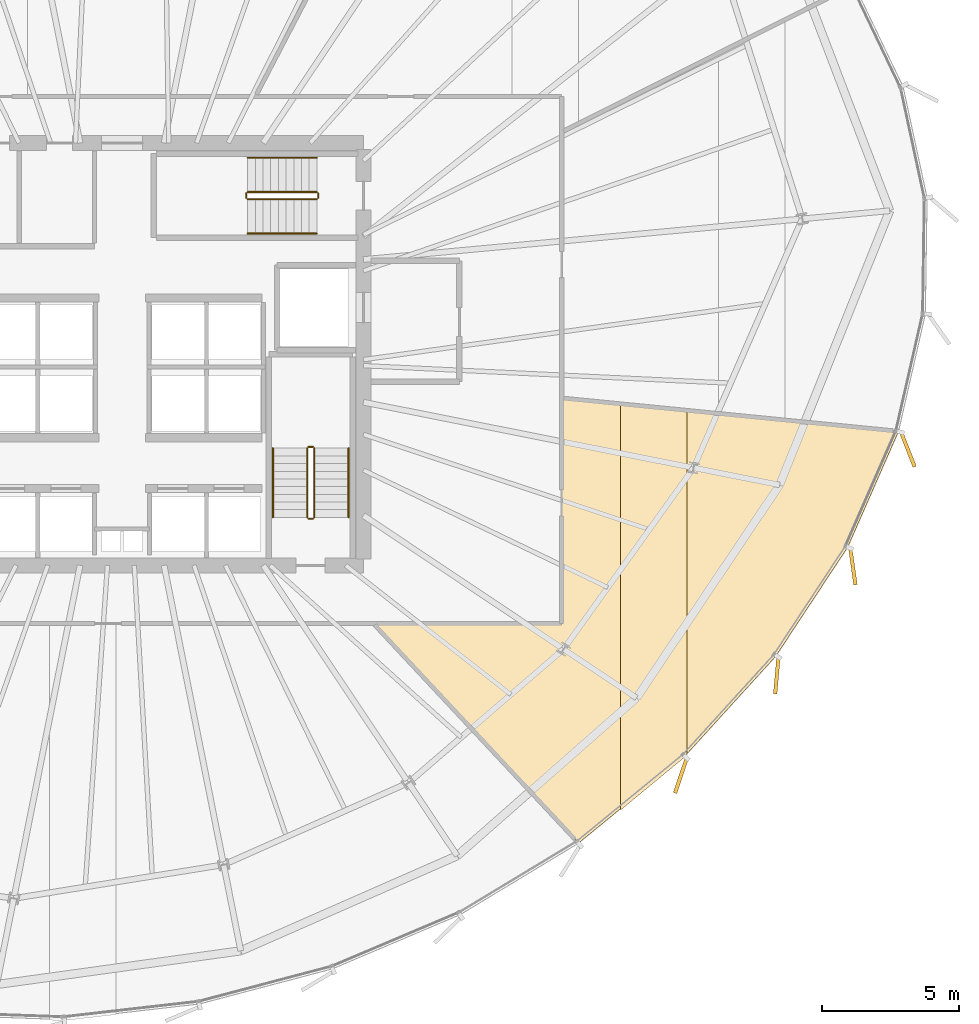
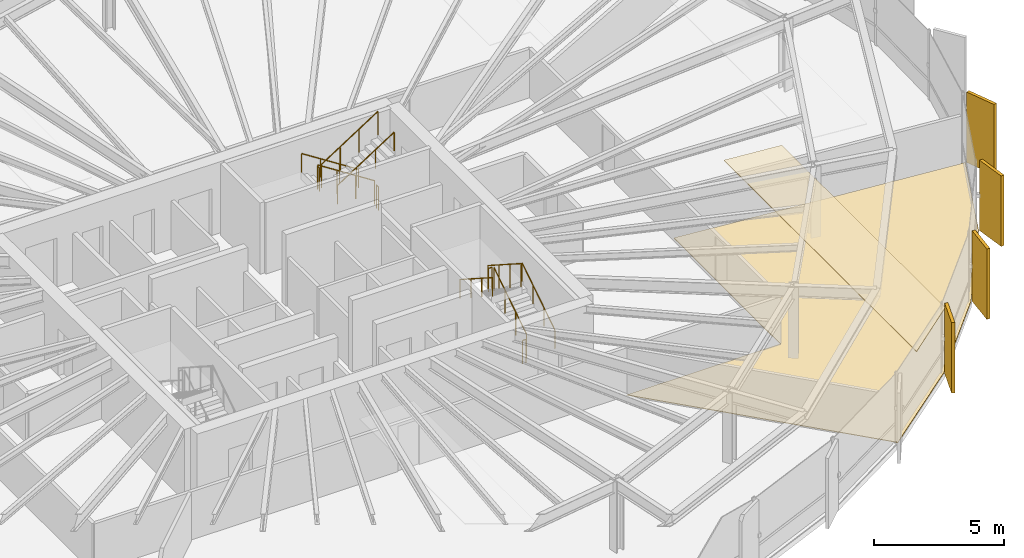
# One storey, part 32 of 33: 12 railings, 6 coverings.
"""IFC4 building model written with IfcOpenShell, lengths in metres."""

from ifc_helpers import new_model, si_unit, direction, frame, origin, origin_2d, place, context, subcontext, project, spatial, polyline, rectangle, circle, outline, extrude, source, transform, mapped, material, layer, layer_set, type_object, element, save


model = new_model("IFC4")

# Units and contexts
model_context = context("Model", 3, precision=1e-05, world=origin(), true_north=direction((0.0, 1.0)))
body_context = subcontext(model_context, "Body", "Model", "MODEL_VIEW")
ifc_project = project(units=[si_unit("LENGTHUNIT", "METRE"), si_unit("AREAUNIT", "SQUARE_METRE"), si_unit("VOLUMEUNIT", "CUBIC_METRE"), si_unit("PLANEANGLEUNIT", "RADIAN"), si_unit("MASSUNIT", "GRAM", prefix="KILO"), si_unit("THERMODYNAMICTEMPERATUREUNIT", "KELVIN")], contexts=[model_context])

# Site, building, storey
site_placement = place(None, origin())
site = spatial("IfcSite", under=ifc_project, at=site_placement, CompositionType="ELEMENT")
building_placement = place(site_placement, origin())
building = spatial("IfcBuilding", under=site, at=building_placement, Name="Kethvar Cultural Tower", CompositionType="ELEMENT")
storey_placement = place(building_placement, frame((0.0, 0.0, 110.800048828125)))
storey = spatial("IfcBuildingStorey", under=building, at=storey_placement, Name="L27", CompositionType="ELEMENT", Elevation=110.800048828125)

# Coverings
ifc_material_1 = material(Name="Acoustic Mineral Fibre Ceiling")
ifc_layer_1 = layer(ifc_material_1, 0.0400390625, Name="Acoustic Mineral Fibre Ceiling")
ifc_layer_set_1 = layer_set([ifc_layer_1], Name="Acoustic Mineral Fibre Ceiling (40 mm)")
covering_type_1 = type_object("IfcCoveringType", Name="CV-ACOUSTIC-CEIL", PredefinedType="CEILING", material=ifc_layer_set_1)
covering_1_placement = place(storey_placement, frame((0.0, 0.0, 3.0)))
element("IfcCovering", 1, at=covering_1_placement, inside=storey, type_object=covering_type_1, Name="L27 Room 02 Acoustic Ceiling Panel", PredefinedType="CEILING", context=body_context, shape_type="SweptSolid", body=[
    extrude(outline(polyline([(67.407470703125, 13.180908203125), (64.977294921875, 11.17529296875), (64.977294921875, 26.003662109375), (67.407470703125, 25.7607421875), (67.407470703125, 13.180908203125)])), origin(), (0.0, 0.0, 1.0), 0.0400390625),
])
ifc_material_2 = material(Name="Architectural Oak Timber", Category="wood")
ifc_layer_2 = layer(ifc_material_2, 0.02490234375, Name="Architectural Oak Timber", Category="wood")
ifc_layer_set_2 = layer_set([ifc_layer_2], Name="Architectural Oak Timber (25 mm)")
covering_type_2 = type_object("IfcCoveringType", Name="CV-OAK-FLOOR", PredefinedType="FLOORING", material=ifc_layer_set_2)
covering_2_placement = place(storey_placement, origin())
element("IfcCovering", 2, at=covering_2_placement, inside=storey, type_object=covering_type_2, Name="L27 Room 02 Floor Finish", PredefinedType="FLOORING", context=body_context, shape_type="SweptSolid", body=[
    extrude(outline(polyline([(73.26171875, 20.767578125), (70.630615234375, 16.7802734375), (67.318115234375, 13.14208984375), (63.453857421875, 9.980712890625), (56.0087890625, 17.9599609375), (62.845458984375, 17.96728515625), (62.85009765625, 26.176025390625), (75.09814453125, 24.951904296875), (73.26171875, 20.767578125)])), origin(), (0.0, 0.0, 1.0), 0.02490234375),
])

# Railings
ifc_material_3 = material(Name="Steel S355J2", Category="steel")
railing_type_1 = type_object("IfcRailingType", Name="RL-STAIR-GUARD", PredefinedType="BALUSTRADE", material=ifc_material_3)
railing_1_placement = place(storey_placement, frame((53.81005859375, 21.85009765625, 0.179931640625)))
element("IfcRailing", 3, at=railing_1_placement, inside=storey, type_object=railing_type_1, Name="L27 ST-02 stair guard 1", PredefinedType="BALUSTRADE", context=body_context, shape_type="SweptSolid", body=[
    extrude(circle(Radius=0.02392578125, at=origin_2d()), frame((0.0, 0.0, 1.09619140625), z_axis=(0.0, 0.841162588446, 0.540782303519), x_axis=(-1.0, 0.0, 0.0)), (0.0, 0.0, 1.0), 2.995849609375),
    extrude(circle(Radius=0.02099609375, at=origin_2d()), origin(), (0.0, 0.0, 1.0), 1.072021484375),
    extrude(circle(Radius=0.02099609375, at=origin_2d()), frame((0.0, 0.840087890625, 0.5400390625)), (0.0, 0.0, 1.0), 1.072021484375),
    extrude(circle(Radius=0.02099609375, at=origin_2d()), frame((0.0, 1.679931640625, 1.080078125)), (0.0, 0.0, 1.0), 1.072021484375),
    extrude(circle(Radius=0.02099609375, at=origin_2d()), frame((0.0, 2.52001953125, 1.6201171875)), (0.0, 0.0, 1.0), 1.072021484375),
])
railing_2_placement = place(storey_placement, frame((53.760009765625, 24.419921875, 1.800048828125)))
element("IfcRailing", 4, at=railing_2_placement, inside=storey, type_object=railing_type_1, Name="L27 ST-02 stair guard 2", PredefinedType="BALUSTRADE", context=body_context, shape_type="SweptSolid", body=[
    extrude(circle(Radius=0.02392578125, at=origin_2d()), frame((0.0, 0.0, 1.09619140625), z_axis=(-1.0, 0.0, 0.0), x_axis=(0.0, -1.0, 0.0)), (0.0, 0.0, 1.0), 0.159912109375),
    extrude(circle(Radius=0.02099609375, at=origin_2d()), origin(), (0.0, 0.0, 1.0), 1.072021484375),
    extrude(circle(Radius=0.02099609375, at=origin_2d()), frame((-0.159912109375, 0.0, 0.0)), (0.0, 0.0, 1.0), 1.072021484375),
])
railing_3_placement = place(storey_placement, frame((53.550048828125, 24.3701171875, 1.97998046875)))
element("IfcRailing", 5, at=railing_3_placement, inside=storey, type_object=railing_type_1, Name="L27 ST-02 stair guard 3", PredefinedType="BALUSTRADE", context=body_context, shape_type="SweptSolid", body=[
    extrude(circle(Radius=0.02392578125, at=origin_2d()), frame((0.0, 0.0, 1.09619140625), z_axis=(0.0, -0.841199657755, 0.540724639528), x_axis=(1.0, 0.0, 0.0)), (0.0, 0.0, 1.0), 2.995849609375),
    extrude(circle(Radius=0.02099609375, at=origin_2d()), origin(), (0.0, 0.0, 1.0), 1.072021484375),
    extrude(circle(Radius=0.02099609375, at=origin_2d()), frame((0.0, -0.840087890625, 0.5400390625)), (0.0, 0.0, 1.0), 1.072021484375),
    extrude(circle(Radius=0.02099609375, at=origin_2d()), frame((0.0, -1.679931640625, 1.079833984375)), (0.0, 0.0, 1.0), 1.072021484375),
    extrude(circle(Radius=0.02099609375, at=origin_2d()), frame((0.0, -2.52001953125, 1.619873046875)), (0.0, 0.0, 1.0), 1.072021484375),
])
railing_4_placement = place(storey_placement, frame((53.760009765625, 21.800048828125, 0.0)))
element("IfcRailing", 6, at=railing_4_placement, inside=storey, type_object=railing_type_1, Name="L27 ST-02 stair guard 4", PredefinedType="BALUSTRADE", context=body_context, shape_type="SweptSolid", body=[
    extrude(circle(Radius=0.02392578125, at=origin_2d()), frame((0.0, 0.0, 1.09619140625), z_axis=(-1.0, 0.0, 0.0), x_axis=(0.0, -1.0, 0.0)), (0.0, 0.0, 1.0), 0.159912109375),
    extrude(circle(Radius=0.02099609375, at=origin_2d()), origin(), (0.0, 0.0, 1.0), 1.072021484375),
    extrude(circle(Radius=0.02099609375, at=origin_2d()), frame((-0.159912109375, 0.0, 0.0)), (0.0, 0.0, 1.0), 1.072021484375),
])
railing_5_placement = place(storey_placement, frame((53.89990234375, 33.7099609375, 0.179931640625)))
element("IfcRailing", 7, at=railing_5_placement, inside=storey, type_object=railing_type_1, Name="L27 ST-03 stair guard 1", PredefinedType="BALUSTRADE", context=body_context, shape_type="SweptSolid", body=[
    extrude(circle(Radius=0.02392578125, at=origin_2d()), frame((0.0, 0.0, 1.09619140625), z_axis=(-0.841162588446, 0.0, 0.540782303519), x_axis=(0.0, -1.0, 0.0)), (0.0, 0.0, 1.0), 2.995849609375),
    extrude(circle(Radius=0.02099609375, at=origin_2d()), origin(), (0.0, 0.0, 1.0), 1.072021484375),
    extrude(circle(Radius=0.02099609375, at=origin_2d()), frame((-0.840087890625, 0.0, 0.5400390625)), (0.0, 0.0, 1.0), 1.072021484375),
    extrude(circle(Radius=0.02099609375, at=origin_2d()), frame((-1.679931640625, 0.0, 1.080078125)), (0.0, 0.0, 1.0), 1.072021484375),
    extrude(circle(Radius=0.02099609375, at=origin_2d()), frame((-2.52001953125, 0.0, 1.6201171875)), (0.0, 0.0, 1.0), 1.072021484375),
])
railing_6_placement = place(storey_placement, frame((51.330078125, 33.659912109375, 1.800048828125)))
element("IfcRailing", 8, at=railing_6_placement, inside=storey, type_object=railing_type_1, Name="L27 ST-03 stair guard 2", PredefinedType="BALUSTRADE", context=body_context, shape_type="SweptSolid", body=[
    extrude(circle(Radius=0.02392578125, at=origin_2d()), frame((0.0, 0.0, 1.09619140625), z_axis=(0.0, -1.0, 0.0), x_axis=(1.0, 0.0, 0.0)), (0.0, 0.0, 1.0), 0.159912109375),
    extrude(circle(Radius=0.02099609375, at=origin_2d()), origin(), (0.0, 0.0, 1.0), 1.072021484375),
    extrude(circle(Radius=0.02099609375, at=origin_2d()), frame((0.0, -0.159912109375, 0.0)), (0.0, 0.0, 1.0), 1.072021484375),
])
railing_7_placement = place(storey_placement, frame((51.3798828125, 33.449951171875, 1.97998046875)))
element("IfcRailing", 9, at=railing_7_placement, inside=storey, type_object=railing_type_1, Name="L27 ST-03 stair guard 3", PredefinedType="BALUSTRADE", context=body_context, shape_type="SweptSolid", body=[
    extrude(circle(Radius=0.02392578125, at=origin_2d()), frame((0.0, 0.0, 1.09619140625), z_axis=(0.841199657755, 0.0, 0.540724639528), x_axis=(0.0, 1.0, 0.0)), (0.0, 0.0, 1.0), 2.995849609375),
    extrude(circle(Radius=0.02099609375, at=origin_2d()), origin(), (0.0, 0.0, 1.0), 1.072021484375),
    extrude(circle(Radius=0.02099609375, at=origin_2d()), frame((0.840087890625, 0.0, 0.5400390625)), (0.0, 0.0, 1.0), 1.072021484375),
    extrude(circle(Radius=0.02099609375, at=origin_2d()), frame((1.679931640625, 0.0, 1.079833984375)), (0.0, 0.0, 1.0), 1.072021484375),
    extrude(circle(Radius=0.02099609375, at=origin_2d()), frame((2.52001953125, 0.0, 1.619873046875)), (0.0, 0.0, 1.0), 1.072021484375),
])
railing_8_placement = place(storey_placement, frame((53.949951171875, 33.659912109375, 0.0)))
element("IfcRailing", 10, at=railing_8_placement, inside=storey, type_object=railing_type_1, Name="L27 ST-03 stair guard 4", PredefinedType="BALUSTRADE", context=body_context, shape_type="SweptSolid", body=[
    extrude(circle(Radius=0.02392578125, at=origin_2d()), frame((0.0, 0.0, 1.09619140625), z_axis=(0.0, -1.0, 0.0), x_axis=(1.0, 0.0, 0.0)), (0.0, 0.0, 1.0), 0.159912109375),
    extrude(circle(Radius=0.02099609375, at=origin_2d()), origin(), (0.0, 0.0, 1.0), 1.072021484375),
    extrude(circle(Radius=0.02099609375, at=origin_2d()), frame((0.0, -0.159912109375, 0.0)), (0.0, 0.0, 1.0), 1.072021484375),
])
railing_type_2 = type_object("IfcRailingType", Name="RL-STAIR-HANDRAIL", PredefinedType="HANDRAIL", material=ifc_material_3)
railing_9_placement = place(storey_placement, frame((55.06005859375, 21.85009765625, 0.179931640625)))
element("IfcRailing", 11, at=railing_9_placement, inside=storey, type_object=railing_type_2, Name="L27 ST-02 stair handrail 1", PredefinedType="HANDRAIL", context=body_context, shape_type="SweptSolid", body=[
    extrude(circle(Radius=0.02392578125, at=origin_2d()), frame((0.0, 0.0, 0.8759765625), z_axis=(0.0, 0.841162588446, 0.540782303519), x_axis=(-1.0, 0.0, 0.0)), (0.0, 0.0, 1.0), 2.995849609375),
    extrude(circle(Radius=0.02099609375, at=origin_2d()), origin(), (0.0, 0.0, 1.0), 0.851806640625),
    extrude(circle(Radius=0.02099609375, at=origin_2d()), frame((0.0, 0.840087890625, 0.5400390625)), (0.0, 0.0, 1.0), 0.851806640625),
    extrude(circle(Radius=0.02099609375, at=origin_2d()), frame((0.0, 1.679931640625, 1.080078125)), (0.0, 0.0, 1.0), 0.851806640625),
    extrude(circle(Radius=0.02099609375, at=origin_2d()), frame((0.0, 2.52001953125, 1.6201171875)), (0.0, 0.0, 1.0), 0.851806640625),
])
railing_10_placement = place(storey_placement, frame((52.300048828125, 24.3701171875, 1.97998046875)))
element("IfcRailing", 12, at=railing_10_placement, inside=storey, type_object=railing_type_2, Name="L27 ST-02 stair handrail 2", PredefinedType="HANDRAIL", context=body_context, shape_type="SweptSolid", body=[
    extrude(circle(Radius=0.02392578125, at=origin_2d()), frame((0.0, 0.0, 0.8759765625), z_axis=(0.0, -0.841199657755, 0.540724639528), x_axis=(1.0, 0.0, 0.0)), (0.0, 0.0, 1.0), 2.995849609375),
    extrude(circle(Radius=0.02099609375, at=origin_2d()), origin(), (0.0, 0.0, 1.0), 0.851806640625),
    extrude(circle(Radius=0.02099609375, at=origin_2d()), frame((0.0, -0.840087890625, 0.5400390625)), (0.0, 0.0, 1.0), 0.851806640625),
    extrude(circle(Radius=0.02099609375, at=origin_2d()), frame((0.0, -1.679931640625, 1.079833984375)), (0.0, 0.0, 1.0), 0.851806640625),
    extrude(circle(Radius=0.02099609375, at=origin_2d()), frame((0.0, -2.52001953125, 1.619873046875)), (0.0, 0.0, 1.0), 0.851806640625),
])
railing_11_placement = place(storey_placement, frame((53.89990234375, 34.9599609375, 0.179931640625)))
element("IfcRailing", 13, at=railing_11_placement, inside=storey, type_object=railing_type_2, Name="L27 ST-03 stair handrail 1", PredefinedType="HANDRAIL", context=body_context, shape_type="SweptSolid", body=[
    extrude(circle(Radius=0.02392578125, at=origin_2d()), frame((0.0, 0.0, 0.8759765625), z_axis=(-0.841162588446, 0.0, 0.540782303519), x_axis=(0.0, -1.0, 0.0)), (0.0, 0.0, 1.0), 2.995849609375),
    extrude(circle(Radius=0.02099609375, at=origin_2d()), origin(), (0.0, 0.0, 1.0), 0.851806640625),
    extrude(circle(Radius=0.02099609375, at=origin_2d()), frame((-0.840087890625, 0.0, 0.5400390625)), (0.0, 0.0, 1.0), 0.851806640625),
    extrude(circle(Radius=0.02099609375, at=origin_2d()), frame((-1.679931640625, 0.0, 1.080078125)), (0.0, 0.0, 1.0), 0.851806640625),
    extrude(circle(Radius=0.02099609375, at=origin_2d()), frame((-2.52001953125, 0.0, 1.6201171875)), (0.0, 0.0, 1.0), 0.851806640625),
])
railing_12_placement = place(storey_placement, frame((51.3798828125, 32.199951171875, 1.97998046875)))
element("IfcRailing", 14, at=railing_12_placement, inside=storey, type_object=railing_type_2, Name="L27 ST-03 stair handrail 2", PredefinedType="HANDRAIL", context=body_context, shape_type="SweptSolid", body=[
    extrude(circle(Radius=0.02392578125, at=origin_2d()), frame((0.0, 0.0, 0.8759765625), z_axis=(0.841199657755, 0.0, 0.540724639528), x_axis=(0.0, 1.0, 0.0)), (0.0, 0.0, 1.0), 2.995849609375),
    extrude(circle(Radius=0.02099609375, at=origin_2d()), origin(), (0.0, 0.0, 1.0), 0.851806640625),
    extrude(circle(Radius=0.02099609375, at=origin_2d()), frame((0.840087890625, 0.0, 0.5400390625)), (0.0, 0.0, 1.0), 0.851806640625),
    extrude(circle(Radius=0.02099609375, at=origin_2d()), frame((1.679931640625, 0.0, 1.079833984375)), (0.0, 0.0, 1.0), 0.851806640625),
    extrude(circle(Radius=0.02099609375, at=origin_2d()), frame((2.52001953125, 0.0, 1.619873046875)), (0.0, 0.0, 1.0), 0.851806640625),
])

# Coverings
ifc_material_4 = material(Name="Extruded Architectural Terracotta", Category="masonry")
ifc_layer_3 = layer(ifc_material_4, 0.135009765625, Name="Extruded Architectural Terracotta", Category="masonry")
ifc_layer_set_3 = layer_set([ifc_layer_3], Name="Extruded Architectural Terracotta (135 mm)")
covering_type_3 = type_object("IfcCoveringType", Name="Terracotta Facade Fin FIN-02", PredefinedType="CLADDING", material=ifc_layer_set_3)
shared_shape = source(origin(), body_context, "Body", "SweptSolid", [
    extrude(rectangle(XDim=1.35009765625, YDim=0.135009765625, at=origin_2d()), origin(), (0.0, 0.0, 1.0), 3.31005859375),
])
for number, where, z_axis, x_axis, name in (
    (15, (67.17626953125, 12.433837890625, 0.02001953125), (0.0, 0.0, 1.0), (-0.318297564451, -0.947990854631, 0.0), "L27 Vertical Terracotta Fin 5.6"),
    (16, (70.674072265625, 16.083984375, 0.02001953125), (0.0, 0.0, 1.0), (-0.089763472712, -0.995963111248, 0.0), "L27 Vertical Terracotta Fin 6.1"),
    (17, (73.447021484375, 20.0576171875, 0.02001953125), (0.0, 0.0, 1.0), (0.140210030757, -0.990121784063, 0.0), "L27 Vertical Terracotta Fin 6.2"),
    (18, (75.452392578125, 24.322998046875, 0.02001953125), (0.0, 0.0, 1.0), (0.365851583464, -0.930673207349, 0.0), "L27 Vertical Terracotta Fin 6.3"),
):
    element("IfcCovering", number, at=place(storey_placement, frame(where, z_axis=z_axis, x_axis=x_axis)), inside=storey, type_object=covering_type_3, Name=name, PredefinedType="CLADDING", context=body_context, shape_type="MappedRepresentation", body=[
        mapped(shared_shape, transform((0.0, 0.0, 0.0), scale=1.0)),
    ])

save(model, "model.ifc")
